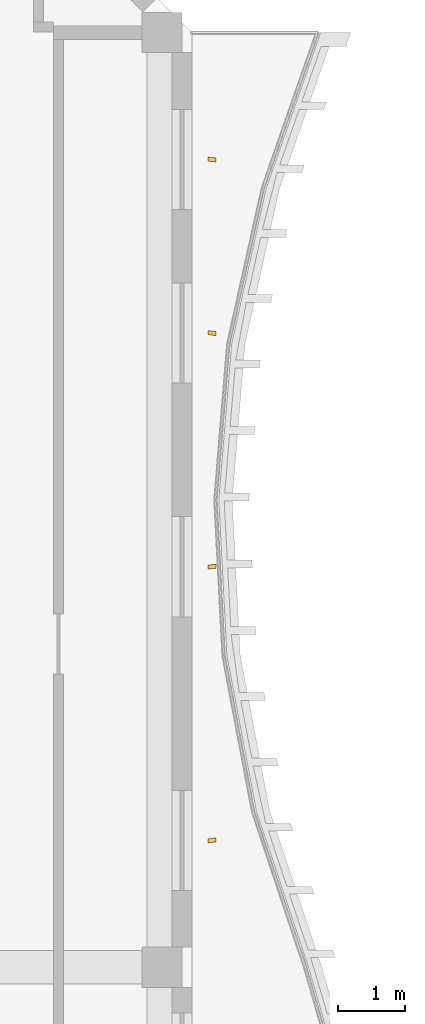
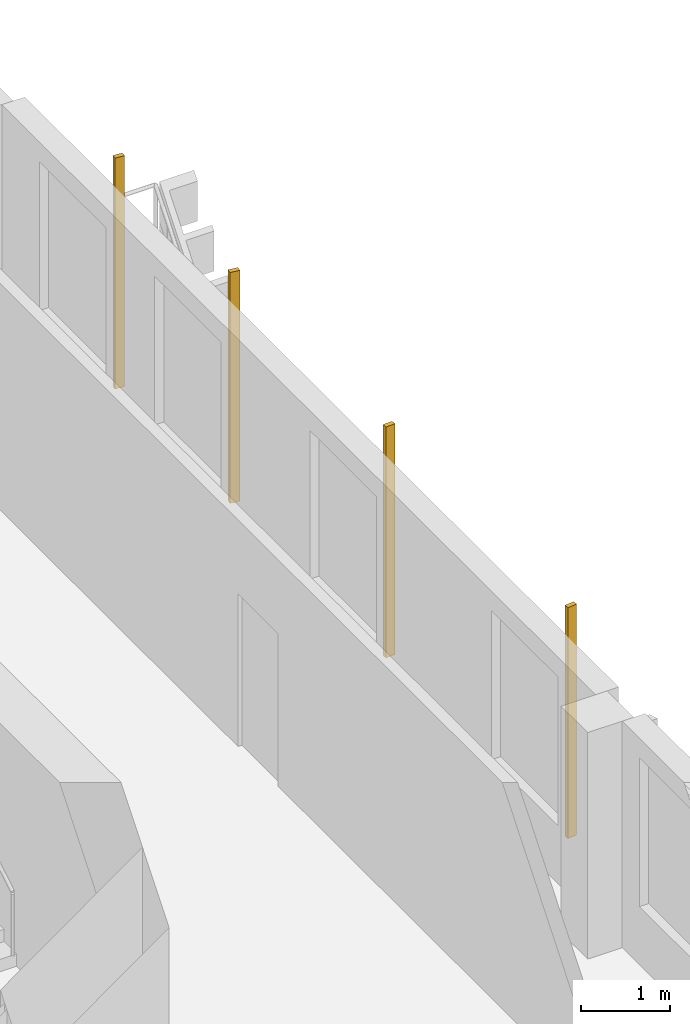
# One storey, part 17 of 17: 4 shading devices.
"""IFC4 building model written with IfcOpenShell, lengths in metres."""

from ifc_helpers import new_model, si_unit, direction, frame, origin, origin_2d, place, context, subcontext, project, spatial, rectangle, extrude, source, transform, mapped, material, material_profile, profile_set, type_object, element, save


model = new_model("IFC4")

# Units and contexts
model_context = context("Model", 3, precision=1e-05, world=origin(), true_north=direction((0.0, 1.0)))
body_context = subcontext(model_context, "Body", "Model", "MODEL_VIEW")
ifc_project = project(units=[si_unit("LENGTHUNIT", "METRE"), si_unit("AREAUNIT", "SQUARE_METRE"), si_unit("VOLUMEUNIT", "CUBIC_METRE"), si_unit("PLANEANGLEUNIT", "RADIAN"), si_unit("MASSUNIT", "GRAM", prefix="KILO")], contexts=[model_context])

# Site, building, storey
site_placement = place(None, origin())
site = spatial("IfcSite", under=ifc_project, at=site_placement, CompositionType="ELEMENT")
building_placement = place(site_placement, origin())
building = spatial("IfcBuilding", under=site, at=building_placement, Name="Kilnfold Tower and Market Hall", CompositionType="ELEMENT")
storey_placement = place(building_placement, frame((0.0, 0.0, 308.60009765625)))
storey = spatial("IfcBuildingStorey", under=building, at=storey_placement, Name="L77", CompositionType="ELEMENT", Elevation=308.60009765625)

# Shading devices
ifc_material = material(Name="Terracotta", Category="masonry")
ifc_material_profile = material_profile(ifc_material, rectangle(XDim=0.06005859375, YDim=0.1201171875, at=origin_2d()), Name="BAG 60x120")
ifc_profile_set = profile_set([ifc_material_profile], Name="Terracotta")
shading_device_type = type_object("IfcShadingDeviceType", Name="BAGUETTE", PredefinedType="USERDEFINED", material=ifc_profile_set)
shared_shape = source(origin(), body_context, "Body", "SweptSolid", [
    extrude(rectangle(XDim=0.06005859375, YDim=0.1201171875, at=origin_2d()), origin(), (0.0, 0.0, 1.0), 3.179931640625),
])
for number, where, z_axis, x_axis, name in (
    (1, (23.800048828125, 9.89990234375, 0.0), (0.0, 0.0, 1.0), (-0.115843860295, 0.993267436309, 0.0), "Terracotta baguette L77 E"),
    (2, (23.800048828125, 14.0, 0.0), (0.0, 0.0, 1.0), (-0.043861755943, 0.999037610086, 0.0), "Terracotta baguette L77 E"),
    (3, (23.800048828125, 17.5, 0.0), (0.0, 0.0, 1.0), (0.132164699825, 0.991227770051, 0.0), "Terracotta baguette L77 E"),
    (4, (23.800048828125, 20.10009765625, 0.0), (0.0, 0.0, 1.0), (0.092311499791, 0.995730177812, 0.0), "Terracotta baguette L77 E"),
):
    element("IfcShadingDevice", number, at=place(storey_placement, frame(where, z_axis=z_axis, x_axis=x_axis)), inside=storey, type_object=shading_device_type, Name=name, ObjectType="BAGUETTE", PredefinedType="USERDEFINED", context=body_context, shape_type="MappedRepresentation", body=[
        mapped(shared_shape, transform((0.0, 0.0, 0.0))),
    ])

save(model, "model.ifc")
